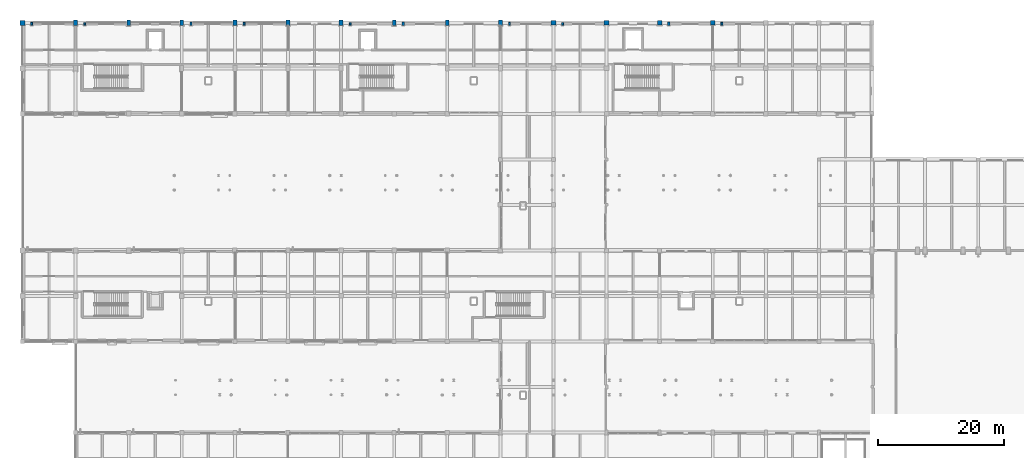
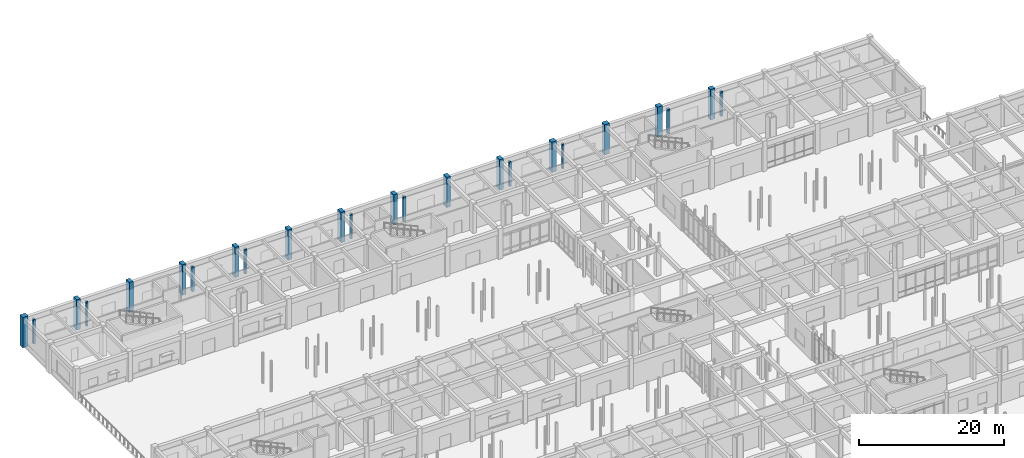
# One storey, part 34 of 121: 24 columns.
"""IFC4 building model written with IfcOpenShell, lengths in metres."""

from ifc_helpers import new_model, si_unit, direction, frame, origin, origin_2d, place, context, subcontext, project, spatial, rectangle, extrude, material, material_profile, profile_set, type_object, element, save


model = new_model("IFC4")

# Units and contexts
model_context = context("Model", 3, precision=1e-05, world=origin(), true_north=direction((0.0, 1.0)))
body_context = subcontext(model_context, "Body", "Model", "MODEL_VIEW")
ifc_project = project(units=[si_unit("LENGTHUNIT", "METRE"), si_unit("AREAUNIT", "SQUARE_METRE"), si_unit("VOLUMEUNIT", "CUBIC_METRE"), si_unit("PLANEANGLEUNIT", "RADIAN"), si_unit("MASSUNIT", "GRAM", prefix="KILO")], contexts=[model_context])

# Site, building, storey
site_placement = place(None, origin())
site = spatial("IfcSite", under=ifc_project, at=site_placement, CompositionType="ELEMENT")
building_placement = place(site_placement, origin())
building = spatial("IfcBuilding", under=site, at=building_placement, Name="Malvenik Polytechnic", CompositionType="ELEMENT")
storey_placement = place(building_placement, origin())
storey = spatial("IfcBuildingStorey", under=building, at=storey_placement, Name="L00", CompositionType="ELEMENT", Elevation=0.0)

# Columns
ifc_material_1 = material(Name="Concrete C40/50", Category="concrete")
ifc_material_profile_1 = material_profile(ifc_material_1, rectangle(XDim=0.800048828125, YDim=0.800048828125, at=origin_2d()), Name="RC COL 800x800")
ifc_profile_set_1 = profile_set([ifc_material_profile_1], Name="Concrete C40/50")
column_type_1 = type_object("IfcColumnType", Name="STR-COL-C-02", PredefinedType="COLUMN", material=ifc_profile_set_1)
column_1_placement = place(storey_placement, frame((0.0, 129.60009765625, 0.0), z_axis=(0.0, 0.0, 1.0), x_axis=(1.0, 0.0, 0.0)))
element("IfcColumn", 1, at=column_1_placement, inside=storey, type_object=column_type_1, Name="Column C-02 L00 (0.0,129.6)", PredefinedType="COLUMN", context=body_context, shape_type="SweptSolid", body=[
    extrude(rectangle(XDim=0.800048828125, YDim=0.800048828125, at=origin_2d()), origin(), (0.0, 0.0, 1.0), 5.10009765625),
])
ifc_material_profile_2 = material_profile(ifc_material_1, rectangle(XDim=0.75, YDim=0.75, at=origin_2d()), Name="RC COL 750x750")
ifc_profile_set_2 = profile_set([ifc_material_profile_2], Name="Concrete C40/50")
column_type_2 = type_object("IfcColumnType", Name="STR-COL-C-03", PredefinedType="COLUMN", material=ifc_profile_set_2)
for number, where, z_axis, x_axis, name in (
    (2, (84.0, 129.60009765625, 0.0), (0.0, 0.0, 1.0), (1.0, 0.0, 0.0), "Column C-03 L00 (84.0,129.6)"),
    (3, (92.39990234375, 129.60009765625, 0.0), (0.0, 0.0, 1.0), (1.0, 0.0, 0.0), "Column C-03 L00 (92.4,129.6)"),
    (4, (100.800048828125, 129.60009765625, 0.0), (0.0, 0.0, 1.0), (1.0, 0.0, 0.0), "Column C-03 L00 (100.8,129.6)"),
):
    element("IfcColumn", number, at=place(storey_placement, frame(where, z_axis=z_axis, x_axis=x_axis)), inside=storey, type_object=column_type_2, Name=name, PredefinedType="COLUMN", context=body_context, shape_type="SweptSolid", body=[
        extrude(rectangle(XDim=0.75, YDim=0.75, at=origin_2d()), origin(), (0.0, 0.0, 1.0), 5.10009765625),
    ])
ifc_material_profile_3 = material_profile(ifc_material_1, rectangle(XDim=0.699951171875, YDim=0.699951171875, at=origin_2d()), Name="RC COL 700x700")
ifc_profile_set_3 = profile_set([ifc_material_profile_3], Name="Concrete C40/50")
column_type_3 = type_object("IfcColumnType", Name="STR-COL-C-04", PredefinedType="COLUMN", material=ifc_profile_set_3)
column_2_placement = place(storey_placement, frame((109.199951171875, 129.60009765625, 0.0), z_axis=(0.0, 0.0, 1.0), x_axis=(1.0, 0.0, 0.0)))
element("IfcColumn", 5, at=column_2_placement, inside=storey, type_object=column_type_3, Name="Column C-04 L00 (109.2,129.6)", PredefinedType="COLUMN", context=body_context, shape_type="SweptSolid", body=[
    extrude(rectangle(XDim=0.699951171875, YDim=0.699951171875, at=origin_2d()), origin(), (0.0, 0.0, 1.0), 5.10009765625),
])
ifc_material_profile_4 = material_profile(ifc_material_1, rectangle(XDim=0.60009765625, YDim=0.89990234375, at=origin_2d()), Name="RC COL 900x600")
ifc_profile_set_4 = profile_set([ifc_material_profile_4], Name="Concrete C40/50")
column_type_4 = type_object("IfcColumnType", Name="STR-COL-C-11", PredefinedType="COLUMN", material=ifc_profile_set_4)
for number, where, z_axis, x_axis, name in (
    (6, (8.39990234375, 129.60009765625, 0.0), (0.0, 0.0, 1.0), (1.0, 0.0, 0.0), "Column C-11 L00 (8.4,129.6)"),
    (7, (16.800048828125, 129.60009765625, 0.0), (0.0, 0.0, 1.0), (1.0, 0.0, 0.0), "Column C-11 L00 (16.8,129.6)"),
    (8, (25.199951171875, 129.60009765625, 0.0), (0.0, 0.0, 1.0), (1.0, 0.0, 0.0), "Column C-11 L00 (25.2,129.6)"),
    (9, (33.60009765625, 129.60009765625, 0.0), (0.0, 0.0, 1.0), (1.0, 0.0, 0.0), "Column C-11 L00 (33.6,129.6)"),
    (10, (42.0, 129.60009765625, 0.0), (0.0, 0.0, 1.0), (1.0, 0.0, 0.0), "Column C-11 L00 (42.0,129.6)"),
    (11, (50.39990234375, 129.60009765625, 0.0), (0.0, 0.0, 1.0), (1.0, 0.0, 0.0), "Column C-11 L00 (50.4,129.6)"),
    (12, (58.800048828125, 129.60009765625, 0.0), (0.0, 0.0, 1.0), (1.0, 0.0, 0.0), "Column C-11 L00 (58.8,129.6)"),
    (13, (67.199951171875, 129.60009765625, 0.0), (0.0, 0.0, 1.0), (1.0, 0.0, 0.0), "Column C-11 L00 (67.2,129.6)"),
    (14, (75.60009765625, 129.60009765625, 0.0), (0.0, 0.0, 1.0), (1.0, 0.0, 0.0), "Column C-11 L00 (75.6,129.6)"),
):
    element("IfcColumn", number, at=place(storey_placement, frame(where, z_axis=z_axis, x_axis=x_axis)), inside=storey, type_object=column_type_4, Name=name, PredefinedType="COLUMN", context=body_context, shape_type="SweptSolid", body=[
        extrude(rectangle(XDim=0.60009765625, YDim=0.89990234375, at=origin_2d()), origin(), (0.0, 0.0, 1.0), 5.10009765625),
    ])
ifc_material_2 = material(Name="Precast concrete C40/50", Category="concrete")
ifc_material_profile_5 = material_profile(ifc_material_2, rectangle(XDim=0.35009765625, YDim=0.5, at=origin_2d()), Name="RC PIL 500x350")
ifc_profile_set_5 = profile_set([ifc_material_profile_5], Name="Precast concrete C40/50")
column_type_5 = type_object("IfcColumnType", Name="STR-COL-PL-C1", PredefinedType="PILASTER", material=ifc_profile_set_5)
for number, where, z_axis, x_axis, name in (
    (15, (26.64990234375, 129.449951171875, 0.0), (0.0, 0.0, 1.0), (1.0, 0.0, 0.0), "Facade Pilaster PL-C1 L00 #3"),
    (16, (60.25, 129.449951171875, 0.0), (0.0, 0.0, 1.0), (1.0, 0.0, 0.0), "Facade Pilaster PL-C1 L00 #6"),
    (17, (102.25, 129.449951171875, 0.0), (0.0, 0.0, 1.0), (1.0, 0.0, 0.0), "Facade Pilaster PL-C1 L00 #9"),
):
    element("IfcColumn", number, at=place(storey_placement, frame(where, z_axis=z_axis, x_axis=x_axis)), inside=storey, type_object=column_type_5, Name=name, PredefinedType="PILASTER", context=body_context, shape_type="SweptSolid", body=[
        extrude(rectangle(XDim=0.35009765625, YDim=0.5, at=origin_2d()), origin(), (0.0, 0.0, 1.0), 4.14990234375),
    ])
ifc_material_profile_6 = material_profile(ifc_material_2, rectangle(XDim=0.300048828125, YDim=0.449951171875, at=origin_2d()), Name="RC PIL 450x300")
ifc_profile_set_6 = profile_set([ifc_material_profile_6], Name="Precast concrete C40/50")
column_type_6 = type_object("IfcColumnType", Name="STR-COL-PL-C2", PredefinedType="PILASTER", material=ifc_profile_set_6)
for number, where, z_axis, x_axis, name in (
    (18, (1.449951171875, 129.449951171875, 0.0), (0.0, 0.0, 1.0), (1.0, 0.0, 0.0), "Facade Pilaster PL-C2 L00 #1"),
    (19, (35.050048828125, 129.449951171875, 0.0), (0.0, 0.0, 1.0), (1.0, 0.0, 0.0), "Facade Pilaster PL-C2 L00 #4"),
    (20, (77.050048828125, 129.449951171875, 0.0), (0.0, 0.0, 1.0), (1.0, 0.0, 0.0), "Facade Pilaster PL-C2 L00 #7"),
    (21, (110.64990234375, 129.449951171875, 0.0), (0.0, 0.0, 1.0), (1.0, 0.0, 0.0), "Facade Pilaster PL-C2 L00 #10"),
):
    element("IfcColumn", number, at=place(storey_placement, frame(where, z_axis=z_axis, x_axis=x_axis)), inside=storey, type_object=column_type_6, Name=name, PredefinedType="PILASTER", context=body_context, shape_type="SweptSolid", body=[
        extrude(rectangle(XDim=0.300048828125, YDim=0.449951171875, at=origin_2d()), origin(), (0.0, 0.0, 1.0), 4.14990234375),
    ])
ifc_material_profile_7 = material_profile(ifc_material_2, rectangle(XDim=0.280029296875, YDim=0.39990234375, at=origin_2d()), Name="RC PIL 400x280")
ifc_profile_set_7 = profile_set([ifc_material_profile_7], Name="Precast concrete C40/50")
column_type_7 = type_object("IfcColumnType", Name="STR-COL-PL-C3", PredefinedType="PILASTER", material=ifc_profile_set_7)
for number, where, z_axis, x_axis, name in (
    (22, (9.85009765625, 129.449951171875, 0.0), (0.0, 0.0, 1.0), (1.0, 0.0, 0.0), "Facade Pilaster PL-C3 L00 #2"),
    (23, (51.85009765625, 129.449951171875, 0.0), (0.0, 0.0, 1.0), (1.0, 0.0, 0.0), "Facade Pilaster PL-C3 L00 #5"),
    (24, (85.449951171875, 129.449951171875, 0.0), (0.0, 0.0, 1.0), (1.0, 0.0, 0.0), "Facade Pilaster PL-C3 L00 #8"),
):
    element("IfcColumn", number, at=place(storey_placement, frame(where, z_axis=z_axis, x_axis=x_axis)), inside=storey, type_object=column_type_7, Name=name, PredefinedType="PILASTER", context=body_context, shape_type="SweptSolid", body=[
        extrude(rectangle(XDim=0.280029296875, YDim=0.39990234375, at=origin_2d()), origin(), (0.0, 0.0, 1.0), 4.14990234375),
    ])

save(model, "model.ifc")
